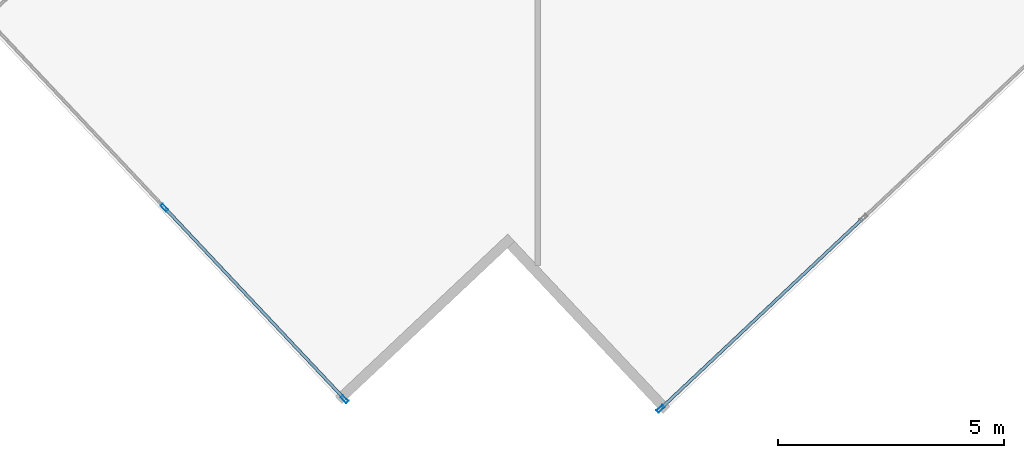
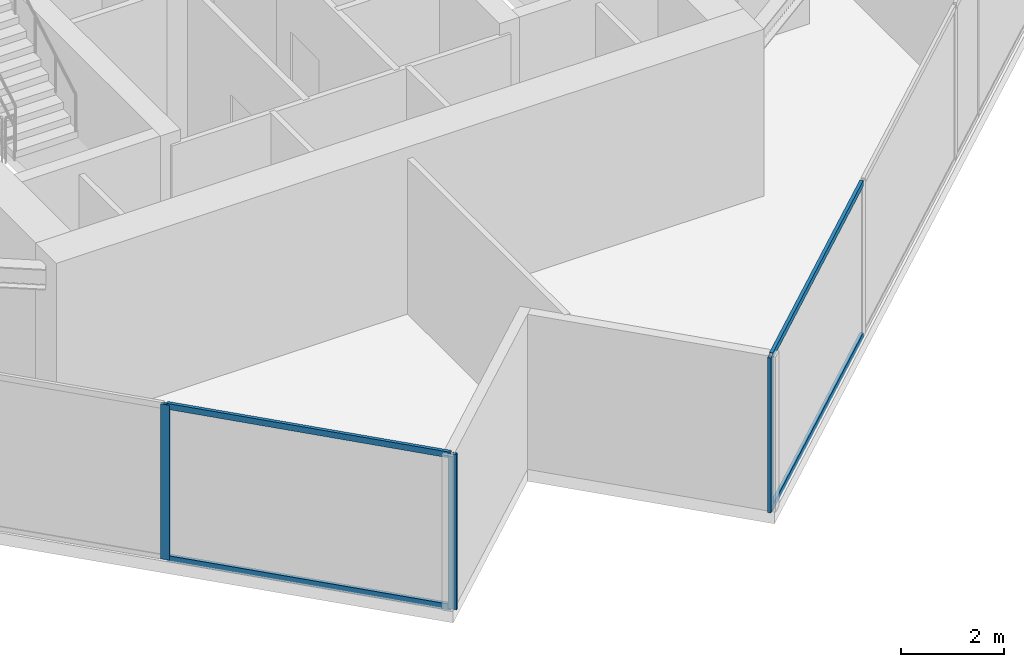
# One storey, part 3 of 25: 7 members, 2 elements without a shape of their own.
"""IFC4 building model written with IfcOpenShell, lengths in metres."""

from ifc_helpers import new_model, si_unit, direction, frame, origin, origin_2d, place, context, subcontext, project, spatial, hollow_rectangle, extrude, source, transform, mapped, material, material_profile, profile_set, type_object, type_shapes, element, aggregate, save


model = new_model("IFC4")

# Units and contexts
model_context = context("Model", 3, precision=1e-05, world=origin(), true_north=direction((0.0, 1.0)))
body_context = subcontext(model_context, "Body", "Model", "MODEL_VIEW")
ifc_project = project(units=[si_unit("LENGTHUNIT", "METRE"), si_unit("AREAUNIT", "SQUARE_METRE"), si_unit("VOLUMEUNIT", "CUBIC_METRE"), si_unit("PLANEANGLEUNIT", "RADIAN"), si_unit("MASSUNIT", "GRAM", prefix="KILO")], contexts=[model_context])

# Site, building, storey
site_placement = place(None, origin())
site = spatial("IfcSite", under=ifc_project, at=site_placement, CompositionType="ELEMENT")
building_placement = place(site_placement, origin())
building = spatial("IfcBuilding", under=site, at=building_placement, Name="Krantzveldt Concourse Tower", CompositionType="ELEMENT")
storey_placement = place(building_placement, frame((0.0, 0.0, 238.89990234375)))
storey = spatial("IfcBuildingStorey", under=building, at=storey_placement, Name="L58", CompositionType="ELEMENT", Elevation=238.89990234375)

# Curtain wall, members
ifc_material = material(Name="Anodised aluminium 6063-T6", Category="aluminium")
curtain_wall_type = type_object("IfcCurtainWallType", Name="CW3", PredefinedType="USERDEFINED", material=ifc_material)
curtain_wall_1_placement = place(storey_placement, origin())
curtain_wall_1 = element("IfcCurtainWall", 1, at=curtain_wall_1_placement, inside=storey, type_object=curtain_wall_type, Name="CW-L58-F08", ObjectType="UNITISED CURTAIN WALL", PredefinedType="USERDEFINED")
ifc_material_profile_1 = material_profile(ifc_material, hollow_rectangle(XDim=0.070068359375, YDim=0.179931640625, WallThickness=0.0048828125, at=origin_2d()), Name="Anodised aluminium 6063-T6", Category="aluminium")
ifc_profile_set_1 = profile_set([ifc_material_profile_1], Name="Anodised aluminium 6063-T6 - ALU-MULL 180x70x5")
member_type_1 = type_object("IfcMemberType", Name="CW-MUL-180", PredefinedType="MULLION", material=ifc_profile_set_1)
shared_shape_1 = source(origin(), body_context, "Body", "SweptSolid", [
    extrude(hollow_rectangle(XDim=0.070068359375, YDim=0.179931640625, WallThickness=0.0048828125, at=origin_2d()), origin(), (0.0, 0.0, 1.0), 3.670166015625),
])
type_shapes(member_type_1, [shared_shape_1])
member_1_placement = place(storey_placement, frame((27.745849609375, 5.6865234375, 0.0), z_axis=(0.0, 0.0, 1.0), x_axis=(0.728370998021, 0.685182960414, 0.0)))
member_1 = element("IfcMember", 2, at=member_1_placement, type_object=member_type_1, Name="CW-Z34 mullion 2", PredefinedType="MULLION", context=body_context, shape_type="MappedRepresentation", body=[
    mapped(shared_shape_1, transform((0.0, 0.0, 0.0), x_axis=(1.0, 0.0, 0.0), y_axis=(0.0, 1.0, 0.0), z_axis=(0.0, 0.0, 1.0), scale=1.0)),
])
member_2_placement = place(storey_placement, frame((31.730224609375, 1.451171875, 0.0), z_axis=(0.0, 0.0, 1.0), x_axis=(0.728370998021, 0.685182960414, 0.0)))
member_2 = element("IfcMember", 3, at=member_2_placement, type_object=member_type_1, Name="CW-Z34 mullion 3", PredefinedType="MULLION", context=body_context, shape_type="MappedRepresentation", body=[
    mapped(shared_shape_1, transform((0.0, 0.0, 0.0), x_axis=(1.0, 0.0, 0.0), y_axis=(0.0, 1.0, 0.0), z_axis=(0.0, 0.0, 1.0), scale=1.0)),
])

curtain_wall_2_placement = place(storey_placement, origin())
curtain_wall_2 = element("IfcCurtainWall", 4, at=curtain_wall_2_placement, inside=storey, type_object=curtain_wall_type, Name="CW-L58-F11", ObjectType="UNITISED CURTAIN WALL", PredefinedType="USERDEFINED")
member_3_placement = place(storey_placement, frame((38.72021484375, 1.237548828125, 0.0), z_axis=(0.0, 0.0, 1.0), x_axis=(-0.685182945184, 0.728371012348, 0.0)))
member_3 = element("IfcMember", 5, at=member_3_placement, type_object=member_type_1, Name="CW-Z34 mullion 1", PredefinedType="MULLION", context=body_context, shape_type="MappedRepresentation", body=[
    mapped(shared_shape_1, transform((0.0, 0.0, 0.0), x_axis=(1.0, 0.0, 0.0), y_axis=(0.0, 1.0, 0.0), z_axis=(0.0, 0.0, 1.0), scale=1.0)),
])
ifc_material_profile_2 = material_profile(ifc_material, hollow_rectangle(XDim=0.070068359375, YDim=0.139892578125, WallThickness=0.0048828125, at=origin_2d()), Name="Anodised aluminium 6063-T6", Category="aluminium")
ifc_profile_set_2 = profile_set([ifc_material_profile_2], Name="Anodised aluminium 6063-T6 - ALU-TRAN 140x70x5")
member_type_2 = type_object("IfcMemberType", Name="CW-TRN-150", PredefinedType="USERDEFINED", material=ifc_profile_set_2)
shared_shape_2 = source(origin(), body_context, "Body", "SweptSolid", [
    extrude(hollow_rectangle(XDim=0.070068359375, YDim=0.139892578125, WallThickness=0.0048828125, at=origin_2d()), origin(), (0.0, 0.0, 1.0), 6.094970703125),
])
member_4_placement = place(storey_placement, frame((38.745849609375, 1.261474609375, 0.03515625), z_axis=(0.728366954224, 0.685187259072, 0.0), x_axis=(-0.685187259072, 0.728366954224, 0.0)))
member_4 = element("IfcMember", 6, at=member_4_placement, type_object=member_type_2, Name="CW-Z34 transom 1.1", ObjectType="TRANSOM", PredefinedType="USERDEFINED", context=body_context, shape_type="MappedRepresentation", body=[
    mapped(shared_shape_2, transform((0.0, 0.0, 0.0), x_axis=(1.0, 0.0, 0.0), y_axis=(0.0, 1.0, 0.0), z_axis=(0.0, 0.0, 1.0), scale=1.0)),
])
member_5_placement = place(storey_placement, frame((38.745849609375, 1.261474609375, 3.635009765625), z_axis=(0.728366954224, 0.685187259072, 0.0), x_axis=(-0.685187259072, 0.728366954224, 0.0)))
member_5 = element("IfcMember", 7, at=member_5_placement, type_object=member_type_2, Name="CW-Z34 transom 1.2", ObjectType="TRANSOM", PredefinedType="USERDEFINED", context=body_context, shape_type="MappedRepresentation", body=[
    mapped(shared_shape_2, transform((0.0, 0.0, 0.0), x_axis=(1.0, 0.0, 0.0), y_axis=(0.0, 1.0, 0.0), z_axis=(0.0, 0.0, 1.0), scale=1.0)),
])
aggregate(curtain_wall_2, [member_3, member_4, member_5])

# Member
shared_shape_3 = source(origin(), body_context, "Body", "SweptSolid", [
    extrude(hollow_rectangle(XDim=0.070068359375, YDim=0.139892578125, WallThickness=0.0048828125, at=origin_2d()), origin(), (0.0, 0.0, 1.0), 5.744873046875),
])
type_shapes(member_type_2, [shared_shape_2, shared_shape_3])
member_6_placement = place(storey_placement, frame((27.77001953125, 5.6611328125, 0.03515625), z_axis=(0.685167163665, -0.728385857795, 0.0), x_axis=(0.728385857795, 0.685167163665, 0.0)))
member_6 = element("IfcMember", 8, at=member_6_placement, type_object=member_type_2, Name="CW-Z34 transom 2.1", ObjectType="TRANSOM", PredefinedType="USERDEFINED", context=body_context, shape_type="MappedRepresentation", body=[
    mapped(shared_shape_3, transform((0.0, 0.0, 0.0), x_axis=(1.0, 0.0, 0.0), y_axis=(0.0, 1.0, 0.0), z_axis=(0.0, 0.0, 1.0), scale=1.0)),
])

member_7_placement = place(storey_placement, frame((27.77001953125, 5.6611328125, 3.635009765625), z_axis=(0.685167163665, -0.728385857795, 0.0), x_axis=(0.728385857795, 0.685167163665, 0.0)))
member_7 = element("IfcMember", 9, at=member_7_placement, type_object=member_type_2, Name="CW-Z34 transom 2.2", ObjectType="TRANSOM", PredefinedType="USERDEFINED", context=body_context, shape_type="MappedRepresentation", body=[
    mapped(shared_shape_3, transform((0.0, 0.0, 0.0), x_axis=(1.0, 0.0, 0.0), y_axis=(0.0, 1.0, 0.0), z_axis=(0.0, 0.0, 1.0), scale=1.0)),
])

aggregate(curtain_wall_1, [member_1, member_2, member_6, member_7])

save(model, "model.ifc")
